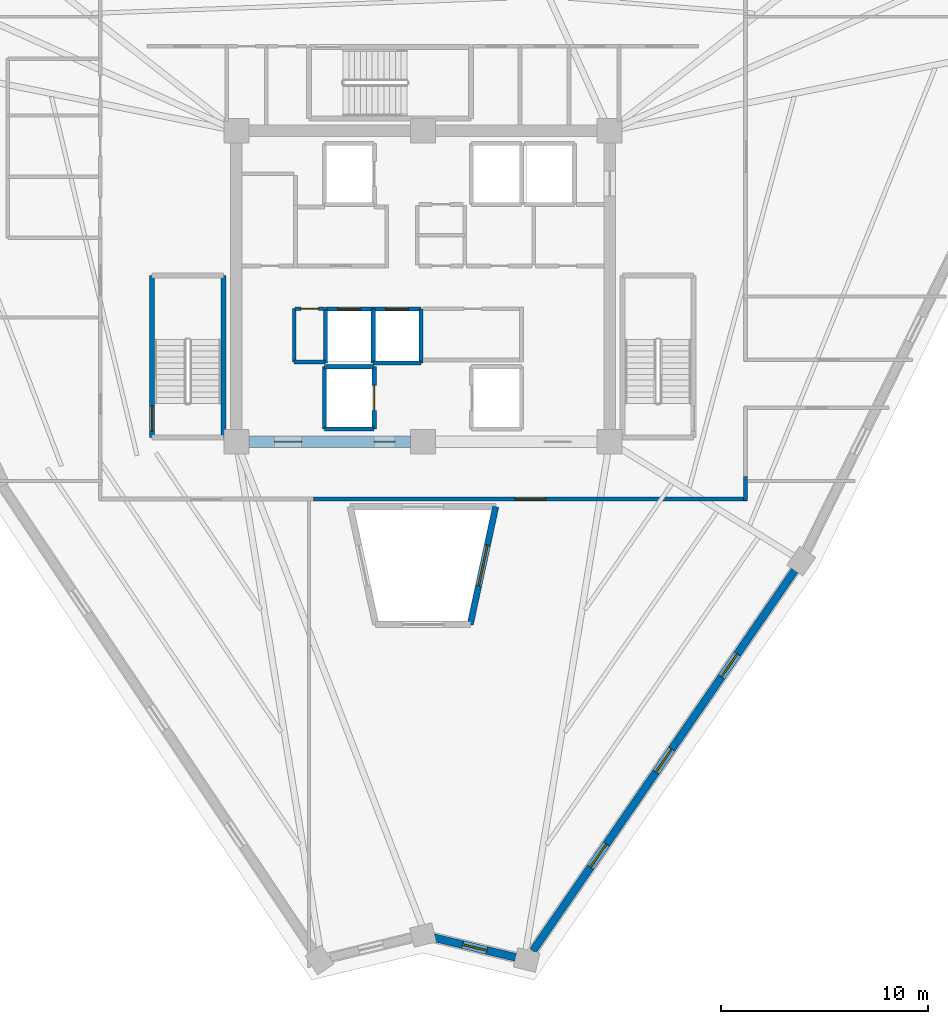
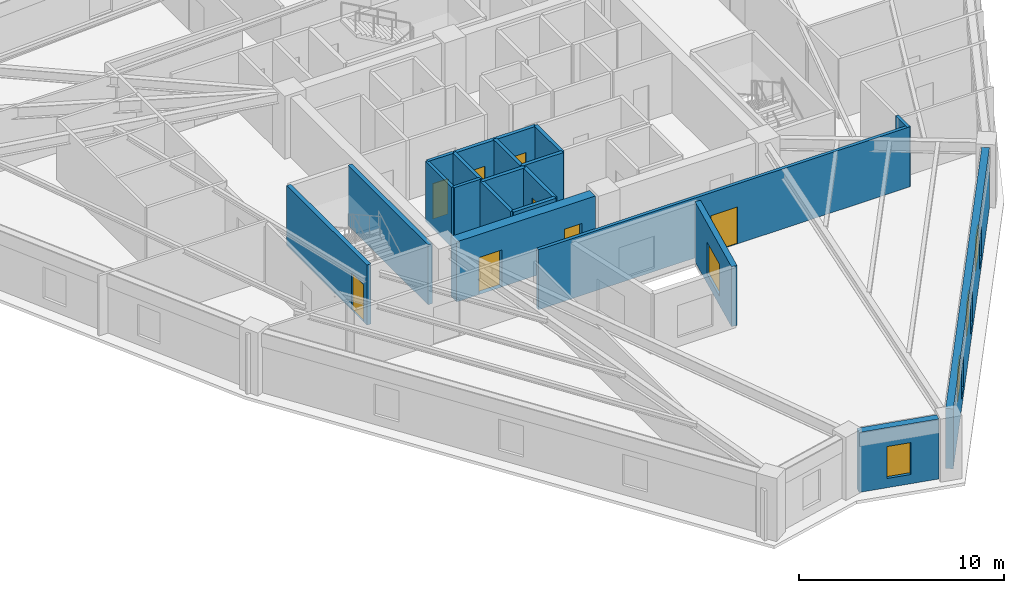
# One storey, part 3 of 8: 21 walls, 8 doors, 5 windows, 13 openings.
"""IFC4 building model written with IfcOpenShell, lengths in metres."""

from ifc_helpers import new_model, si_unit, direction, frame, frame_2d, origin, place, context, subcontext, project, spatial, rectangle, extrude, source, transform, mapped, material, layer, layer_set, type_object, element, fill, save


model = new_model("IFC4")

# Units and contexts
model_context = context("Model", 3, precision=1e-05, world=origin(), true_north=direction((0.0, 1.0)))
body_context = subcontext(model_context, "Body", "Model", "MODEL_VIEW")
ifc_project = project(units=[si_unit("LENGTHUNIT", "METRE"), si_unit("AREAUNIT", "SQUARE_METRE"), si_unit("VOLUMEUNIT", "CUBIC_METRE"), si_unit("PLANEANGLEUNIT", "RADIAN"), si_unit("MASSUNIT", "GRAM", prefix="KILO")], contexts=[model_context])

# Site, building, storey
site_placement = place(None, origin())
site = spatial("IfcSite", under=ifc_project, at=site_placement, CompositionType="ELEMENT")
building_placement = place(site_placement, origin())
building = spatial("IfcBuilding", under=site, at=building_placement, Name="Liaohun Quay Tower", CompositionType="ELEMENT")
storey_placement = place(building_placement, frame((0.0, 0.0, 294.0)))
storey = spatial("IfcBuildingStorey", under=building, at=storey_placement, Name="L76", CompositionType="ELEMENT", Elevation=294.0)

# Wall, opening, window
ifc_material_1 = material(Name="Concrete C50", Category="concrete")
ifc_layer_1 = layer(ifc_material_1, 0.300048828125, Name="Concrete C50", Category="concrete")
ifc_layer_set_1 = layer_set([ifc_layer_1], Name="Concrete C50")
wall_type_1 = type_object("IfcWallType", Name="WAL-ATR-300", PredefinedType="SOLIDWALL", material=ifc_layer_set_1)
wall_1_placement = place(storey_placement, frame((63.511962890625, 43.3701171875, 0.0), z_axis=(0.0, 0.0, 1.0), x_axis=(-0.211300278916, -0.977421194844, 0.0)))
wall_1 = element("IfcWall", 1, at=wall_1_placement, inside=storey, type_object=wall_type_1, Name="L76 Atrium Fire Compartment Wall 3", PredefinedType="SOLIDWALL", context=body_context, shape_type="SweptSolid", body=[
    extrude(rectangle(XDim=5.81640625, YDim=0.300048828125, at=frame_2d((2.908203125, 0.0))), origin(), (0.0, 0.0, 1.0), 3.570068359375),
])
shared_shape_1 = source(origin(), body_context, "Body", "SweptSolid", [
    extrude(rectangle(XDim=2.0, YDim=1.89990234375, at=frame_2d((1.0, 0.949951171875))), frame((0.0, 0.159912109375, 0.0), z_axis=(0.0, -1.0, 0.0), x_axis=(1.0, 0.0, 0.0)), (0.0, 0.0, 1.0), 0.320068359375),
])
opening_1_placement = place(wall_1_placement, frame((1.907958984375, 0.0, 0.550048828125)))
opening_1 = element("IfcOpeningElement", 2, at=opening_1_placement, cuts=wall_1, Name="Opening W07", PredefinedType="OPENING", context=body_context, shape_type="MappedRepresentation", body=[
    mapped(shared_shape_1, transform((0.0, 0.0, 0.0), x_axis=(1.0, 0.0, 0.0), y_axis=(0.0, 1.0, 0.0), z_axis=(0.0, 0.0, 1.0), scale=1.0)),
])
ifc_material_2 = material(Name="Class A 180-min fire-resistant insulated glazing", Category="glass")
window_type_1 = type_object("IfcWindowType", Name="WIN-ATR-FIR", PartitioningType="DOUBLE_PANEL_VERTICAL", PredefinedType="WINDOW", material=ifc_material_2)
shared_shape_2 = source(origin(), body_context, "Body", "SweptSolid", [
    extrude(rectangle(XDim=2.0, YDim=1.89990234375, at=frame_2d((1.0, 0.949951171875))), frame((0.0, 0.030029296875, 0.0), z_axis=(0.0, -1.0, 0.0), x_axis=(1.0, 0.0, 0.0)), (0.0, 0.0, 1.0), 0.06005859375),
])
window_1_placement = place(opening_1_placement, origin())
window_1 = element("IfcWindow", 3, at=window_1_placement, inside=storey, type_object=window_type_1, Name="L76 Atrium Fire-Resistant Glazing W07-3", OverallHeight=1.89990234375, OverallWidth=2.0, PartitioningType="DOUBLE_PANEL_VERTICAL", PredefinedType="WINDOW", context=body_context, shape_type="MappedRepresentation", body=[
    mapped(shared_shape_2, transform((0.0, 0.0, 0.0), x_axis=(1.0, 0.0, 0.0), y_axis=(0.0, 1.0, 0.0), z_axis=(0.0, 0.0, 1.0), scale=1.0)),
])
fill(opening_1, window_1)

# Wall, openings, doors
ifc_layer_2 = layer(ifc_material_1, 0.550048828125, Name="Concrete C50", Category="concrete")
ifc_layer_set_2 = layer_set([ifc_layer_2], Name="Concrete C50")
wall_type_2 = type_object("IfcWallType", Name="WAL-COR-Z4", PredefinedType="SHEAR", material=ifc_layer_set_2)
wall_2_placement = place(storey_placement, frame((59.39990234375, 46.5, 0.0), z_axis=(0.0, 0.0, 1.0), x_axis=(-1.0, 0.0, 0.0)))
wall_2 = element("IfcWall", 4, at=wall_2_placement, inside=storey, type_object=wall_type_2, Name="L76 Central Core Shear Wall S-W", PredefinedType="SHEAR", context=body_context, shape_type="SweptSolid", body=[
    extrude(rectangle(XDim=7.7998046875, YDim=0.550048828125, at=frame_2d((3.89990234375, 0.0))), origin(), (0.0, 0.0, 1.0), 3.570068359375),
])
shared_shape_3 = source(origin(), body_context, "Body", "SweptSolid", [
    extrude(rectangle(XDim=1.300048828125, YDim=2.199951171875, at=frame_2d((0.64990234375, 1.10009765625))), frame((0.0, 0.284912109375, 0.0), z_axis=(0.0, -1.0, 0.0), x_axis=(1.0, 0.0, 0.0)), (0.0, 0.0, 1.0), 0.570068359375),
])
opening_2_placement = place(wall_2_placement, frame((5.25, 0.0, 0.0)))
opening_2 = element("IfcOpeningElement", 5, at=opening_2_placement, cuts=wall_2, Name="Opening FD1", PredefinedType="OPENING", context=body_context, shape_type="MappedRepresentation", body=[
    mapped(shared_shape_3, transform((0.0, 0.0, 0.0), x_axis=(1.0, 0.0, 0.0), y_axis=(0.0, 1.0, 0.0), z_axis=(0.0, 0.0, 1.0), scale=1.0)),
])
shared_shape_4 = source(origin(), body_context, "Body", "SweptSolid", [
    extrude(rectangle(XDim=1.0, YDim=2.199951171875, at=frame_2d((0.5, 1.10009765625))), frame((0.0, 0.284912109375, 0.0), z_axis=(0.0, -1.0, 0.0), x_axis=(1.0, 0.0, 0.0)), (0.0, 0.0, 1.0), 0.570068359375),
])
opening_3_placement = place(wall_2_placement, frame((0.75, 0.0, 0.0)))
opening_3 = element("IfcOpeningElement", 6, at=opening_3_placement, cuts=wall_2, Name="Opening FD2", PredefinedType="OPENING", context=body_context, shape_type="MappedRepresentation", body=[
    mapped(shared_shape_4, transform((0.0, 0.0, 0.0), x_axis=(1.0, 0.0, 0.0), y_axis=(0.0, 1.0, 0.0), z_axis=(0.0, 0.0, 1.0), scale=1.0)),
])
ifc_material_3 = material(Name="Galvanised steel smokeproof fire door", Category="steel")
door_type_1 = type_object("IfcDoorType", Name="DOR-FFL-1300", OperationType="NOTDEFINED", PredefinedType="DOOR", material=ifc_material_3)
shared_shape_5 = source(origin(), body_context, "Body", "SweptSolid", [
    extrude(rectangle(XDim=1.300048828125, YDim=2.199951171875, at=frame_2d((0.64990234375, 1.10009765625))), frame((0.0, 0.02490234375, 0.0), z_axis=(0.0, -1.0, 0.0), x_axis=(1.0, 0.0, 0.0)), (0.0, 0.0, 1.0), 0.050048828125),
])
door_1_placement = place(opening_2_placement, origin())
door_1 = element("IfcDoor", 7, at=door_1_placement, inside=storey, type_object=door_type_1, Name="L76 West Core Lift Lobby Smokeproof Door", OperationType="SINGLE_SWING_RIGHT", OverallHeight=2.199951171875, OverallWidth=1.300048828125, PredefinedType="DOOR", context=body_context, shape_type="MappedRepresentation", body=[
    mapped(shared_shape_5, transform((0.0, 0.0, 0.0), x_axis=(1.0, 0.0, 0.0), y_axis=(0.0, 1.0, 0.0), z_axis=(0.0, 0.0, 1.0), scale=1.0)),
])
fill(opening_2, door_1)
ifc_material_4 = material(Name="Galvanised steel smokeproof lobby fire door", Category="steel")
door_type_2 = type_object("IfcDoorType", Name="DOR-FFL-1000", OperationType="NOTDEFINED", PredefinedType="DOOR", material=ifc_material_4)
shared_shape_6 = source(origin(), body_context, "Body", "SweptSolid", [
    extrude(rectangle(XDim=1.0, YDim=2.199951171875, at=frame_2d((0.5, 1.10009765625))), frame((0.0, 0.02490234375, 0.0), z_axis=(0.0, -1.0, 0.0), x_axis=(1.0, 0.0, 0.0)), (0.0, 0.0, 1.0), 0.050048828125),
])
door_2_placement = place(opening_3_placement, origin())
door_2 = element("IfcDoor", 8, at=door_2_placement, inside=storey, type_object=door_type_2, Name="L76 South Firefighting Lobby Smokeproof Door", OperationType="SINGLE_SWING_LEFT", OverallHeight=2.199951171875, OverallWidth=1.0, PredefinedType="DOOR", context=body_context, shape_type="MappedRepresentation", body=[
    mapped(shared_shape_6, transform((0.0, 0.0, 0.0), x_axis=(1.0, 0.0, 0.0), y_axis=(0.0, 1.0, 0.0), z_axis=(0.0, 0.0, 1.0), scale=1.0)),
])
fill(opening_3, door_2)

# Wall, opening, window
ifc_material_5 = material(Name="Precast concrete C50 insulated sandwich", Category="concrete")
ifc_layer_3 = layer(ifc_material_5, 0.3798828125, Name="Precast concrete C50 insulated sandwich", Category="concrete")
ifc_layer_set_3 = layer_set([ifc_layer_3], Name="Precast concrete C50 insulated sandwich")
wall_type_3 = type_object("IfcWallType", Name="WAL-EXT-Z34", PredefinedType="SOLIDWALL", material=ifc_layer_set_3)
wall_3_placement = place(storey_placement, frame((60.52490234375, 22.5849609375, 0.0), z_axis=(0.0, 0.0, 1.0), x_axis=(0.97211669423, -0.234497617897, 0.0)))
wall_3 = element("IfcWall", 9, at=wall_3_placement, inside=storey, type_object=wall_type_3, Name="L76 Brutalist Precast Pier Wall 01", PredefinedType="SOLIDWALL", context=body_context, shape_type="SweptSolid", body=[
    extrude(rectangle(XDim=4.0634765625, YDim=0.3798828125, at=frame_2d((2.03173828125, 0.0))), origin(), (0.0, 0.0, 1.0), 3.570068359375),
])
shared_shape_7 = source(origin(), body_context, "Body", "SweptSolid", [
    extrude(rectangle(XDim=1.199951171875, YDim=1.89990234375, at=frame_2d((0.60009765625, 0.949951171875))), frame((0.0, 0.199951171875, 0.0), z_axis=(0.0, -1.0, 0.0), x_axis=(1.0, 0.0, 0.0)), (0.0, 0.0, 1.0), 0.39990234375),
])
opening_4_placement = place(wall_3_placement, frame((1.431884765625, 0.0, 0.550048828125)))
opening_4 = element("IfcOpeningElement", 10, at=opening_4_placement, cuts=wall_3, Name="Opening W05", PredefinedType="OPENING", context=body_context, shape_type="MappedRepresentation", body=[
    mapped(shared_shape_7, transform((0.0, 0.0, 0.0), x_axis=(1.0, 0.0, 0.0), y_axis=(0.0, 1.0, 0.0), z_axis=(0.0, 0.0, 1.0), scale=1.0)),
])
ifc_material_6 = material(Name="Triple Low-E corner notch glazing", Category="glass")
window_type_2 = type_object("IfcWindowType", Name="WIN-NOTCH", PartitioningType="SINGLE_PANEL", PredefinedType="WINDOW", material=ifc_material_6)
shared_shape_8 = source(origin(), body_context, "Body", "SweptSolid", [
    extrude(rectangle(XDim=1.199951171875, YDim=1.89990234375, at=frame_2d((0.60009765625, 0.949951171875))), frame((0.0, 0.030029296875, 0.0), z_axis=(0.0, -1.0, 0.0), x_axis=(1.0, 0.0, 0.0)), (0.0, 0.0, 1.0), 0.06005859375),
])
window_2_placement = place(opening_4_placement, origin())
window_2 = element("IfcWindow", 11, at=window_2_placement, inside=storey, type_object=window_type_2, Name="L76 Corner Notch Window W05-01", OverallHeight=1.89990234375, OverallWidth=1.199951171875, PartitioningType="SINGLE_PANEL", PredefinedType="WINDOW", context=body_context, shape_type="MappedRepresentation", body=[
    mapped(shared_shape_8, transform((0.0, 0.0, 0.0), x_axis=(1.0, 0.0, 0.0), y_axis=(0.0, 1.0, 0.0), z_axis=(0.0, 0.0, 1.0), scale=1.0)),
])
fill(opening_4, window_2)

# Wall, openings, windows
wall_4_placement = place(storey_placement, frame((65.305908203125, 21.949951171875, 0.0), z_axis=(0.0, 0.0, 1.0), x_axis=(0.567030177534, 0.823697018184, 0.0)))
wall_4 = element("IfcWall", 12, at=wall_4_placement, inside=storey, type_object=wall_type_3, Name="L76 Brutalist Precast Pier Wall 02", PredefinedType="SOLIDWALL", context=body_context, shape_type="SweptSolid", body=[
    extrude(rectangle(XDim=22.274169921875, YDim=0.3798828125, at=frame_2d((11.13720703125, 0.0))), origin(), (0.0, 0.0, 1.0), 3.570068359375),
])
shared_shape_9 = source(origin(), body_context, "Body", "SweptSolid", [
    extrude(rectangle(XDim=1.35009765625, YDim=1.85009765625, at=frame_2d((0.675048828125, 0.925048828125))), frame((0.0, 0.199951171875, 0.0), z_axis=(0.0, -1.0, 0.0), x_axis=(1.0, 0.0, 0.0)), (0.0, 0.0, 1.0), 0.39990234375),
])
opening_5_placement = place(wall_4_placement, frame((4.89306640625, 0.0, 0.550048828125)))
opening_5 = element("IfcOpeningElement", 13, at=opening_5_placement, cuts=wall_4, Name="Opening W04", PredefinedType="OPENING", context=body_context, shape_type="MappedRepresentation", body=[
    mapped(shared_shape_9, transform((0.0, 0.0, 0.0), x_axis=(1.0, 0.0, 0.0), y_axis=(0.0, 1.0, 0.0), z_axis=(0.0, 0.0, 1.0), scale=1.0)),
])
opening_6_placement = place(wall_4_placement, frame((10.4619140625, 0.0, 0.550048828125)))
opening_6 = element("IfcOpeningElement", 14, at=opening_6_placement, cuts=wall_4, Name="Opening W04", PredefinedType="OPENING", context=body_context, shape_type="MappedRepresentation", body=[
    mapped(shared_shape_9, transform((0.0, 0.0, 0.0), x_axis=(1.0, 0.0, 0.0), y_axis=(0.0, 1.0, 0.0), z_axis=(0.0, 0.0, 1.0), scale=1.0)),
])
opening_7_placement = place(wall_4_placement, frame((16.030029296875, 0.0, 0.550048828125)))
opening_7 = element("IfcOpeningElement", 15, at=opening_7_placement, cuts=wall_4, Name="Opening W04", PredefinedType="OPENING", context=body_context, shape_type="MappedRepresentation", body=[
    mapped(shared_shape_9, transform((0.0, 0.0, 0.0), x_axis=(1.0, 0.0, 0.0), y_axis=(0.0, 1.0, 0.0), z_axis=(0.0, 0.0, 1.0), scale=1.0)),
])
ifc_material_7 = material(Name="Triple Low-E argon glazing in thermally broken aluminium", Category="aluminium")
window_type_3 = type_object("IfcWindowType", Name="WIN-PUN-Z4", PartitioningType="SINGLE_PANEL", PredefinedType="WINDOW", material=ifc_material_7)
shared_shape_10 = source(origin(), body_context, "Body", "SweptSolid", [
    extrude(rectangle(XDim=1.35009765625, YDim=1.85009765625, at=frame_2d((0.675048828125, 0.925048828125))), frame((0.0, 0.030029296875, 0.0), z_axis=(0.0, -1.0, 0.0), x_axis=(1.0, 0.0, 0.0)), (0.0, 0.0, 1.0), 0.06005859375),
])
window_3_placement = place(opening_5_placement, origin())
window_3 = element("IfcWindow", 16, at=window_3_placement, inside=storey, type_object=window_type_3, Name="L76 Recessed Cold-Climate Punched Window 02-1", OverallHeight=1.85009765625, OverallWidth=1.35009765625, PartitioningType="SINGLE_PANEL", PredefinedType="WINDOW", context=body_context, shape_type="MappedRepresentation", body=[
    mapped(shared_shape_10, transform((0.0, 0.0, 0.0), x_axis=(1.0, 0.0, 0.0), y_axis=(0.0, 1.0, 0.0), z_axis=(0.0, 0.0, 1.0), scale=1.0)),
])
fill(opening_5, window_3)
window_4_placement = place(opening_6_placement, origin())
window_4 = element("IfcWindow", 17, at=window_4_placement, inside=storey, type_object=window_type_3, Name="L76 Recessed Cold-Climate Punched Window 02-2", OverallHeight=1.85009765625, OverallWidth=1.35009765625, PartitioningType="SINGLE_PANEL", PredefinedType="WINDOW", context=body_context, shape_type="MappedRepresentation", body=[
    mapped(shared_shape_10, transform((0.0, 0.0, 0.0), x_axis=(1.0, 0.0, 0.0), y_axis=(0.0, 1.0, 0.0), z_axis=(0.0, 0.0, 1.0), scale=1.0)),
])
fill(opening_6, window_4)
window_5_placement = place(opening_7_placement, origin())
window_5 = element("IfcWindow", 18, at=window_5_placement, inside=storey, type_object=window_type_3, Name="L76 Recessed Cold-Climate Punched Window 02-3", OverallHeight=1.85009765625, OverallWidth=1.35009765625, PartitioningType="SINGLE_PANEL", PredefinedType="WINDOW", context=body_context, shape_type="MappedRepresentation", body=[
    mapped(shared_shape_10, transform((0.0, 0.0, 0.0), x_axis=(1.0, 0.0, 0.0), y_axis=(0.0, 1.0, 0.0), z_axis=(0.0, 0.0, 1.0), scale=1.0)),
])
fill(opening_7, window_5)

# Wall, opening, door
ifc_material_8 = material(Name="Autoclaved aerated concrete blockwork", Category="masonry")
ifc_layer_4 = layer(ifc_material_8, 0.179931640625, Name="Autoclaved aerated concrete blockwork", Category="masonry")
ifc_layer_set_4 = layer_set([ifc_layer_4], Name="Autoclaved aerated concrete blockwork")
wall_type_4 = type_object("IfcWallType", Name="WAL-PRT-COR", PredefinedType="PARTITIONING", material=ifc_layer_set_4)
wall_5_placement = place(storey_placement, frame((53.820068359375, 52.919921875, 0.0), z_axis=(0.0, 0.0, 1.0), x_axis=(1.0, 0.0, 0.0)))
wall_5 = element("IfcWall", 19, at=wall_5_placement, inside=storey, type_object=wall_type_4, Name="L76 Interior Partition Wall 008", PredefinedType="PARTITIONING", context=body_context, shape_type="SweptSolid", body=[
    extrude(rectangle(XDim=1.429931640625, YDim=0.179931640625, at=frame_2d((0.71484375, 0.0))), origin(), (0.0, 0.0, 1.0), 3.570068359375),
])
shared_shape_11 = source(origin(), body_context, "Body", "SweptSolid", [
    extrude(rectangle(XDim=0.85009765625, YDim=2.10009765625, at=frame_2d((0.425048828125, 1.050048828125))), frame((0.0, 0.099853515625, 0.0), z_axis=(0.0, -1.0, 0.0), x_axis=(1.0, 0.0, 0.0)), (0.0, 0.0, 1.0), 0.199951171875),
])
opening_8_placement = place(wall_5_placement, frame((0.2900390625, 0.0, 0.0)))
opening_8 = element("IfcOpeningElement", 20, at=opening_8_placement, cuts=wall_5, Name="Opening AD1", PredefinedType="OPENING", context=body_context, shape_type="MappedRepresentation", body=[
    mapped(shared_shape_11, transform((0.0, 0.0, 0.0), x_axis=(1.0, 0.0, 0.0), y_axis=(0.0, 1.0, 0.0), z_axis=(0.0, 0.0, 1.0), scale=1.0)),
])
ifc_material_9 = material(Name="Steel riser inspection fire door", Category="steel")
door_type_3 = type_object("IfcDoorType", Name="DOR-SHF-850", OperationType="NOTDEFINED", PredefinedType="DOOR", material=ifc_material_9)
shared_shape_12 = source(origin(), body_context, "Body", "SweptSolid", [
    extrude(rectangle(XDim=0.85009765625, YDim=2.10009765625, at=frame_2d((0.425048828125, 1.050048828125))), frame((0.0, 0.02490234375, 0.0), z_axis=(0.0, -1.0, 0.0), x_axis=(1.0, 0.0, 0.0)), (0.0, 0.0, 1.0), 0.050048828125),
])
door_3_placement = place(opening_8_placement, origin())
door_3 = element("IfcDoor", 21, at=door_3_placement, inside=storey, type_object=door_type_3, Name="L76 Core Fire Hose and Riser Closet Door", OperationType="SINGLE_SWING_RIGHT", OverallHeight=2.10009765625, OverallWidth=0.85009765625, PredefinedType="DOOR", context=body_context, shape_type="MappedRepresentation", body=[
    mapped(shared_shape_12, transform((0.0, 0.0, 0.0), x_axis=(1.0, 0.0, 0.0), y_axis=(0.0, 1.0, 0.0), z_axis=(0.0, 0.0, 1.0), scale=1.0)),
])
fill(opening_8, door_3)

wall_6_placement = place(storey_placement, frame((75.6298828125, 43.739990234375, 0.0), z_axis=(0.0, 0.0, 1.0), x_axis=(-1.0, 0.0, 0.0)))
wall_6 = element("IfcWall", 22, at=wall_6_placement, inside=storey, type_object=wall_type_4, Name="L76 Interior Partition Wall 026", PredefinedType="PARTITIONING", context=body_context, shape_type="SweptSolid", body=[
    extrude(rectangle(XDim=20.914794921875, YDim=0.179931640625, at=frame_2d((10.45751953125, 0.0))), origin(), (0.0, 0.0, 1.0), 3.570068359375),
])
shared_shape_13 = source(origin(), body_context, "Body", "SweptSolid", [
    extrude(rectangle(XDim=1.5, YDim=2.199951171875, at=frame_2d((0.75, 1.10009765625))), frame((0.0, 0.099853515625, 0.0), z_axis=(0.0, -1.0, 0.0), x_axis=(1.0, 0.0, 0.0)), (0.0, 0.0, 1.0), 0.199951171875),
])
opening_9_placement = place(wall_6_placement, frame((9.70703125, 0.0, 0.0)))
opening_9 = element("IfcOpeningElement", 23, at=opening_9_placement, cuts=wall_6, Name="Opening OD2", PredefinedType="OPENING", context=body_context, shape_type="MappedRepresentation", body=[
    mapped(shared_shape_13, transform((0.0, 0.0, 0.0), x_axis=(1.0, 0.0, 0.0), y_axis=(0.0, 1.0, 0.0), z_axis=(0.0, 0.0, 1.0), scale=1.0)),
])
ifc_material_10 = material(Name="Acoustic oak veneer double door")
door_type_4 = type_object("IfcDoorType", Name="DOR-OFF-1500", OperationType="DOUBLE_DOOR_SINGLE_SWING", PredefinedType="DOOR", material=ifc_material_10)
shared_shape_14 = source(origin(), body_context, "Body", "SweptSolid", [
    extrude(rectangle(XDim=1.5, YDim=2.199951171875, at=frame_2d((0.75, 1.10009765625))), frame((0.0, 0.02490234375, 0.0), z_axis=(0.0, -1.0, 0.0), x_axis=(1.0, 0.0, 0.0)), (0.0, 0.0, 1.0), 0.050048828125),
])
door_4_placement = place(opening_9_placement, origin())
door_4 = element("IfcDoor", 24, at=door_4_placement, inside=storey, type_object=door_type_4, Name="L76 Occupational Wellness Clinic 08 Door", OperationType="DOUBLE_DOOR_SINGLE_SWING", OverallHeight=2.199951171875, OverallWidth=1.5, PredefinedType="DOOR", context=body_context, shape_type="MappedRepresentation", body=[
    mapped(shared_shape_14, transform((0.0, 0.0, 0.0), x_axis=(1.0, 0.0, 0.0), y_axis=(0.0, 1.0, 0.0), z_axis=(0.0, 0.0, 1.0), scale=1.0)),
])
fill(opening_9, door_4)

# Walls
wall_7_placement = place(storey_placement, frame((53.7900390625, 50.35009765625, 0.0), z_axis=(0.0, 0.0, 1.0), x_axis=(0.0, 1.0, 0.0)))
element("IfcWall", 25, at=wall_7_placement, inside=storey, type_object=wall_type_4, Name="L76 Interior Partition Wall 034", PredefinedType="PARTITIONING", context=body_context, shape_type="SweptSolid", body=[
    extrude(rectangle(XDim=2.56982421875, YDim=0.179931640625, at=frame_2d((1.284912109375, 0.0))), origin(), (0.0, 0.0, 1.0), 3.570068359375),
])
wall_8_placement = place(storey_placement, frame((53.7900390625, 50.35009765625, 0.0), z_axis=(0.0, 0.0, 1.0), x_axis=(1.0, 0.0, 0.0)))
element("IfcWall", 26, at=wall_8_placement, inside=storey, type_object=wall_type_4, Name="L76 Interior Partition Wall 035", PredefinedType="PARTITIONING", context=body_context, shape_type="SweptSolid", body=[
    extrude(rectangle(XDim=1.489990234375, YDim=0.179931640625, at=frame_2d((0.7451171875, 0.0))), origin(), (0.0, 0.0, 1.0), 3.570068359375),
])
wall_9_placement = place(storey_placement, frame((75.56005859375, 44.81494140625, 0.0), z_axis=(0.0, 0.0, 1.0), x_axis=(0.0, -1.0, 0.0)))
element("IfcWall", 27, at=wall_9_placement, inside=storey, type_object=wall_type_4, Name="L76 Interior Partition Wall 052", PredefinedType="PARTITIONING", context=body_context, shape_type="SweptSolid", body=[
    extrude(rectangle(XDim=1.14501953125, YDim=0.179931640625, at=frame_2d((0.572509765625, 0.0))), origin(), (0.0, 0.0, 1.0), 3.570068359375),
])
ifc_layer_5 = layer(ifc_material_1, 0.239990234375, Name="Concrete C50", Category="concrete")
ifc_layer_set_5 = layer_set([ifc_layer_5], Name="Concrete C50")
wall_type_5 = type_object("IfcWallType", Name="WAL-SHF-200", PredefinedType="SOLIDWALL", material=ifc_layer_set_5)
wall_10_placement = place(storey_placement, frame((50.3798828125, 46.699951171875, 0.0), z_axis=(0.0, 0.0, 1.0), x_axis=(0.0, 1.0, 0.0)))
element("IfcWall", 28, at=wall_10_placement, inside=storey, type_object=wall_type_5, Name="L76 Stairwell ST-1 Structural Core Wall E", PredefinedType="SOLIDWALL", context=body_context, shape_type="SweptSolid", body=[
    extrude(rectangle(XDim=7.820068359375, YDim=0.239990234375, at=frame_2d((3.91015625, 0.0))), origin(), (0.0, 0.0, 1.0), 3.570068359375),
])

# Wall, opening, door
wall_11_placement = place(storey_placement, frame((46.93994140625, 54.52001953125, 0.0), z_axis=(0.0, 0.0, 1.0), x_axis=(0.0, -1.0, 0.0)))
wall_11 = element("IfcWall", 29, at=wall_11_placement, inside=storey, type_object=wall_type_5, Name="L76 Stairwell ST-1 Structural Core Wall W", PredefinedType="SOLIDWALL", context=body_context, shape_type="SweptSolid", body=[
    extrude(rectangle(XDim=7.820068359375, YDim=0.239990234375, at=frame_2d((3.91015625, 0.0))), origin(), (0.0, 0.0, 1.0), 3.570068359375),
])
shared_shape_15 = source(origin(), body_context, "Body", "SweptSolid", [
    extrude(rectangle(XDim=1.199951171875, YDim=2.199951171875, at=frame_2d((0.60009765625, 1.10009765625))), frame((0.0, 0.1298828125, 0.0), z_axis=(0.0, -1.0, 0.0), x_axis=(1.0, 0.0, 0.0)), (0.0, 0.0, 1.0), 0.260009765625),
])
opening_10_placement = place(wall_11_placement, frame((6.300048828125, 0.0, 0.0)))
opening_10 = element("IfcOpeningElement", 30, at=opening_10_placement, cuts=wall_11, Name="Opening SD1", PredefinedType="OPENING", context=body_context, shape_type="MappedRepresentation", body=[
    mapped(shared_shape_15, transform((0.0, 0.0, 0.0), x_axis=(1.0, 0.0, 0.0), y_axis=(0.0, 1.0, 0.0), z_axis=(0.0, 0.0, 1.0), scale=1.0)),
])
ifc_material_11 = material(Name="Galvanised steel fire door", Category="steel")
door_type_5 = type_object("IfcDoorType", Name="DOR-STR-1200", OperationType="NOTDEFINED", PredefinedType="DOOR", material=ifc_material_11)
shared_shape_16 = source(origin(), body_context, "Body", "SweptSolid", [
    extrude(rectangle(XDim=1.199951171875, YDim=2.199951171875, at=frame_2d((0.60009765625, 1.10009765625))), frame((0.0, 0.02490234375, 0.0), z_axis=(0.0, -1.0, 0.0), x_axis=(1.0, 0.0, 0.0)), (0.0, 0.0, 1.0), 0.050048828125),
])
door_5_placement = place(opening_10_placement, origin())
door_5 = element("IfcDoor", 31, at=door_5_placement, inside=storey, type_object=door_type_5, Name="L76 Protected Stair ST-1 Fire Door", OperationType="SINGLE_SWING_LEFT", OverallHeight=2.199951171875, OverallWidth=1.199951171875, PredefinedType="DOOR", context=body_context, shape_type="MappedRepresentation", body=[
    mapped(shared_shape_16, transform((0.0, 0.0, 0.0), x_axis=(1.0, 0.0, 0.0), y_axis=(0.0, 1.0, 0.0), z_axis=(0.0, 0.0, 1.0), scale=1.0)),
])
fill(opening_10, door_5)

# Wall
wall_12_placement = place(storey_placement, frame((55.25, 47.1201171875, 0.0), z_axis=(0.0, 0.0, 1.0), x_axis=(1.0, 0.0, 0.0)))
element("IfcWall", 32, at=wall_12_placement, inside=storey, type_object=wall_type_5, Name="L76 Lift FF-01 Hoistway Wall S", PredefinedType="SOLIDWALL", context=body_context, shape_type="SweptSolid", body=[
    extrude(rectangle(XDim=2.39990234375, YDim=0.199951171875, at=frame_2d((1.199951171875, 0.0))), origin(), (0.0, 0.0, 1.0), 3.570068359375),
])

# Wall, opening, door
wall_13_placement = place(storey_placement, frame((57.64990234375, 47.1201171875, 0.0), z_axis=(0.0, 0.0, 1.0), x_axis=(0.0, 1.0, 0.0)))
wall_13 = element("IfcWall", 33, at=wall_13_placement, inside=storey, type_object=wall_type_5, Name="L76 Lift FF-01 Hoistway Wall E", PredefinedType="SOLIDWALL", context=body_context, shape_type="SweptSolid", body=[
    extrude(rectangle(XDim=3.0, YDim=0.199951171875, at=frame_2d((1.5, 0.0))), origin(), (0.0, 0.0, 1.0), 3.570068359375),
])
shared_shape_17 = source(origin(), body_context, "Body", "SweptSolid", [
    extrude(rectangle(XDim=1.199951171875, YDim=2.300048828125, at=frame_2d((0.60009765625, 1.14990234375))), frame((0.0, 0.10986328125, 0.0), z_axis=(0.0, -1.0, 0.0), x_axis=(1.0, 0.0, 0.0)), (0.0, 0.0, 1.0), 0.219970703125),
])
opening_11_placement = place(wall_13_placement, frame((0.89990234375, 0.0, 0.0)))
opening_11 = element("IfcOpeningElement", 34, at=opening_11_placement, cuts=wall_13, Name="Opening LD2", PredefinedType="OPENING", context=body_context, shape_type="MappedRepresentation", body=[
    mapped(shared_shape_17, transform((0.0, 0.0, 0.0), x_axis=(1.0, 0.0, 0.0), y_axis=(0.0, 1.0, 0.0), z_axis=(0.0, 0.0, 1.0), scale=1.0)),
])
ifc_material_12 = material(Name="Brushed stainless steel stretcher landing door", Category="steel")
door_type_6 = type_object("IfcDoorType", Name="DOR-LFT-1200", OperationType="SLIDING_TO_LEFT", PredefinedType="DOOR", material=ifc_material_12)
shared_shape_18 = source(origin(), body_context, "Body", "SweptSolid", [
    extrude(rectangle(XDim=1.199951171875, YDim=2.300048828125, at=frame_2d((0.60009765625, 1.14990234375))), frame((0.0, 0.02490234375, 0.0), z_axis=(0.0, -1.0, 0.0), x_axis=(1.0, 0.0, 0.0)), (0.0, 0.0, 1.0), 0.050048828125),
])
door_6_placement = place(opening_11_placement, origin())
door_6 = element("IfcDoor", 35, at=door_6_placement, inside=storey, type_object=door_type_6, Name="L76 Lift FF-01 Sliding Landing Door", OperationType="SLIDING_TO_LEFT", OverallHeight=2.300048828125, OverallWidth=1.199951171875, PredefinedType="DOOR", context=body_context, shape_type="MappedRepresentation", body=[
    mapped(shared_shape_18, transform((0.0, 0.0, 0.0), x_axis=(1.0, 0.0, 0.0), y_axis=(0.0, 1.0, 0.0), z_axis=(0.0, 0.0, 1.0), scale=1.0)),
])
fill(opening_11, door_6)

# Walls
wall_14_placement = place(storey_placement, frame((57.64990234375, 50.1201171875, 0.0), z_axis=(0.0, 0.0, 1.0), x_axis=(-1.0, 0.0, 0.0)))
element("IfcWall", 36, at=wall_14_placement, inside=storey, type_object=wall_type_5, Name="L76 Lift FF-01 Hoistway Wall N", PredefinedType="SOLIDWALL", context=body_context, shape_type="SweptSolid", body=[
    extrude(rectangle(XDim=2.39990234375, YDim=0.199951171875, at=frame_2d((1.199951171875, 0.0))), origin(), (0.0, 0.0, 1.0), 3.570068359375),
])
wall_15_placement = place(storey_placement, frame((55.25, 50.1201171875, 0.0), z_axis=(0.0, 0.0, 1.0), x_axis=(0.0, -1.0, 0.0)))
element("IfcWall", 37, at=wall_15_placement, inside=storey, type_object=wall_type_5, Name="L76 Lift FF-01 Hoistway Wall W", PredefinedType="SOLIDWALL", context=body_context, shape_type="SweptSolid", body=[
    extrude(rectangle(XDim=3.0, YDim=0.199951171875, at=frame_2d((1.5, 0.0))), origin(), (0.0, 0.0, 1.0), 3.570068359375),
])
wall_16_placement = place(storey_placement, frame((57.60009765625, 50.300048828125, 0.0), z_axis=(0.0, 0.0, 1.0), x_axis=(0.0, 1.0, 0.0)))
element("IfcWall", 38, at=wall_16_placement, inside=storey, type_object=wall_type_5, Name="L76 Lift PL-4A Hoistway Wall E", PredefinedType="SOLIDWALL", context=body_context, shape_type="SweptSolid", body=[
    extrude(rectangle(XDim=2.599853515625, YDim=0.199951171875, at=frame_2d((1.2998046875, 0.0))), origin(), (0.0, 0.0, 1.0), 3.570068359375),
])

# Wall, opening, door
wall_17_placement = place(storey_placement, frame((57.60009765625, 52.89990234375, 0.0), z_axis=(0.0, 0.0, 1.0), x_axis=(-1.0, 0.0, 0.0)))
wall_17 = element("IfcWall", 39, at=wall_17_placement, inside=storey, type_object=wall_type_5, Name="L76 Lift PL-4A Hoistway Wall N", PredefinedType="SOLIDWALL", context=body_context, shape_type="SweptSolid", body=[
    extrude(rectangle(XDim=2.300048828125, YDim=0.199951171875, at=frame_2d((1.14990234375, 0.0))), origin(), (0.0, 0.0, 1.0), 3.570068359375),
])
shared_shape_19 = source(origin(), body_context, "Body", "SweptSolid", [
    extrude(rectangle(XDim=1.10009765625, YDim=2.199951171875, at=frame_2d((0.550048828125, 1.10009765625))), frame((0.0, 0.10986328125, 0.0), z_axis=(0.0, -1.0, 0.0), x_axis=(1.0, 0.0, 0.0)), (0.0, 0.0, 1.0), 0.219970703125),
])
opening_12_placement = place(wall_17_placement, frame((0.60009765625, 0.0, 0.0)))
opening_12 = element("IfcOpeningElement", 40, at=opening_12_placement, cuts=wall_17, Name="Opening LD1", PredefinedType="OPENING", context=body_context, shape_type="MappedRepresentation", body=[
    mapped(shared_shape_19, transform((0.0, 0.0, 0.0), x_axis=(1.0, 0.0, 0.0), y_axis=(0.0, 1.0, 0.0), z_axis=(0.0, 0.0, 1.0), scale=1.0)),
])
ifc_material_13 = material(Name="Brushed stainless steel landing door", Category="steel")
door_type_7 = type_object("IfcDoorType", Name="DOR-LFT-1100", OperationType="SLIDING_TO_LEFT", PredefinedType="DOOR", material=ifc_material_13)
shared_shape_20 = source(origin(), body_context, "Body", "SweptSolid", [
    extrude(rectangle(XDim=1.10009765625, YDim=2.199951171875, at=frame_2d((0.550048828125, 1.10009765625))), frame((0.0, 0.02490234375, 0.0), z_axis=(0.0, -1.0, 0.0), x_axis=(1.0, 0.0, 0.0)), (0.0, 0.0, 1.0), 0.050048828125),
])
door_7_placement = place(opening_12_placement, origin())
door_7 = element("IfcDoor", 41, at=door_7_placement, inside=storey, type_object=door_type_7, Name="L76 Lift PL-4A Sliding Landing Door", OperationType="SLIDING_TO_LEFT", OverallHeight=2.199951171875, OverallWidth=1.10009765625, PredefinedType="DOOR", context=body_context, shape_type="MappedRepresentation", body=[
    mapped(shared_shape_20, transform((0.0, 0.0, 0.0), x_axis=(1.0, 0.0, 0.0), y_axis=(0.0, 1.0, 0.0), z_axis=(0.0, 0.0, 1.0), scale=1.0)),
])
fill(opening_12, door_7)

# Walls
wall_18_placement = place(storey_placement, frame((55.300048828125, 52.89990234375, 0.0), z_axis=(0.0, 0.0, 1.0), x_axis=(0.0, -1.0, 0.0)))
element("IfcWall", 42, at=wall_18_placement, inside=storey, type_object=wall_type_5, Name="L76 Lift PL-4A Hoistway Wall W", PredefinedType="SOLIDWALL", context=body_context, shape_type="SweptSolid", body=[
    extrude(rectangle(XDim=2.599853515625, YDim=0.199951171875, at=frame_2d((1.2998046875, 0.0))), origin(), (0.0, 0.0, 1.0), 3.570068359375),
])
wall_19_placement = place(storey_placement, frame((57.60009765625, 50.300048828125, 0.0), z_axis=(0.0, 0.0, 1.0), x_axis=(1.0, 0.0, 0.0)))
element("IfcWall", 43, at=wall_19_placement, inside=storey, type_object=wall_type_5, Name="L76 Lift PL-4B Hoistway Wall S", PredefinedType="SOLIDWALL", context=body_context, shape_type="SweptSolid", body=[
    extrude(rectangle(XDim=2.2998046875, YDim=0.199951171875, at=frame_2d((1.14990234375, 0.0))), origin(), (0.0, 0.0, 1.0), 3.570068359375),
])
wall_20_placement = place(storey_placement, frame((59.89990234375, 50.300048828125, 0.0), z_axis=(0.0, 0.0, 1.0), x_axis=(0.0, 1.0, 0.0)))
element("IfcWall", 44, at=wall_20_placement, inside=storey, type_object=wall_type_5, Name="L76 Lift PL-4B Hoistway Wall E", PredefinedType="SOLIDWALL", context=body_context, shape_type="SweptSolid", body=[
    extrude(rectangle(XDim=2.599853515625, YDim=0.199951171875, at=frame_2d((1.2998046875, 0.0))), origin(), (0.0, 0.0, 1.0), 3.570068359375),
])

# Wall, opening, door
wall_21_placement = place(storey_placement, frame((59.89990234375, 52.89990234375, 0.0), z_axis=(0.0, 0.0, 1.0), x_axis=(-1.0, 0.0, 0.0)))
wall_21 = element("IfcWall", 45, at=wall_21_placement, inside=storey, type_object=wall_type_5, Name="L76 Lift PL-4B Hoistway Wall N", PredefinedType="SOLIDWALL", context=body_context, shape_type="SweptSolid", body=[
    extrude(rectangle(XDim=2.2998046875, YDim=0.199951171875, at=frame_2d((1.14990234375, 0.0))), origin(), (0.0, 0.0, 1.0), 3.570068359375),
])
opening_13_placement = place(wall_21_placement, frame((0.60009765625, 0.0, 0.0)))
opening_13 = element("IfcOpeningElement", 46, at=opening_13_placement, cuts=wall_21, Name="Opening LD1", PredefinedType="OPENING", context=body_context, shape_type="MappedRepresentation", body=[
    mapped(shared_shape_19, transform((0.0, 0.0, 0.0), x_axis=(1.0, 0.0, 0.0), y_axis=(0.0, 1.0, 0.0), z_axis=(0.0, 0.0, 1.0), scale=1.0)),
])
door_8_placement = place(opening_13_placement, origin())
door_8 = element("IfcDoor", 47, at=door_8_placement, inside=storey, type_object=door_type_7, Name="L76 Lift PL-4B Sliding Landing Door", OperationType="SLIDING_TO_LEFT", OverallHeight=2.199951171875, OverallWidth=1.10009765625, PredefinedType="DOOR", context=body_context, shape_type="MappedRepresentation", body=[
    mapped(shared_shape_20, transform((0.0, 0.0, 0.0), x_axis=(1.0, 0.0, 0.0), y_axis=(0.0, 1.0, 0.0), z_axis=(0.0, 0.0, 1.0), scale=1.0)),
])
fill(opening_13, door_8)

save(model, "model.ifc")
